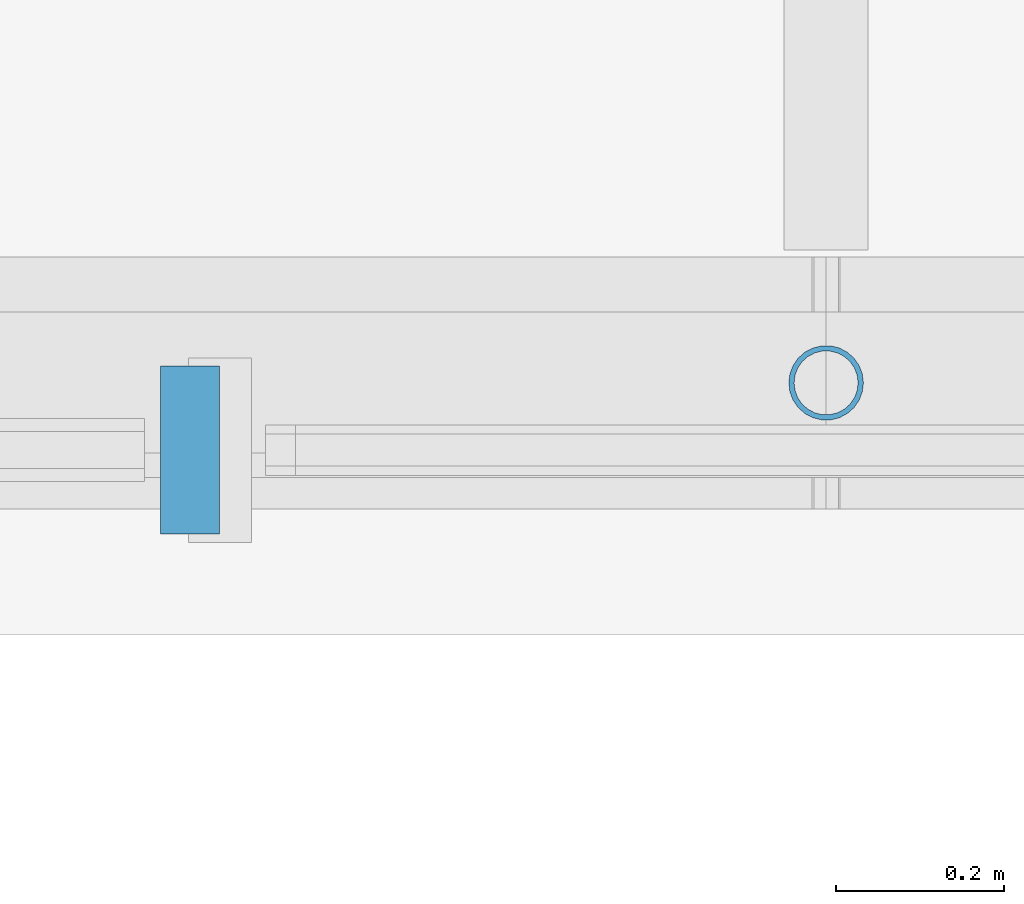
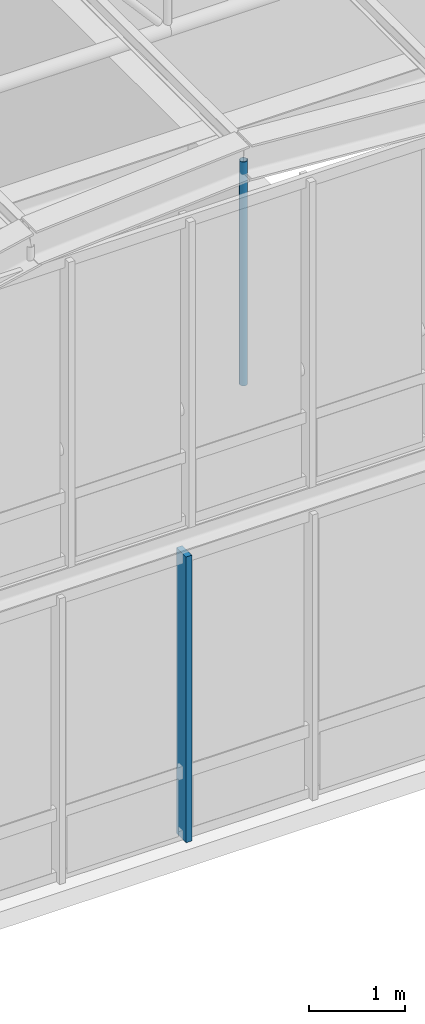
# One storey, part 32 of 148: 2 members, 1 element without a shape of its own.
"""IFC4 building model written with IfcOpenShell, lengths in metres."""

import ifcopenshell
import ifcopenshell.guid

model = None  # the IFC model being written
_history = None  # IfcOwnerHistory: only IFC2X3 demands one
_inside = {}  # id of a spatial element -> (the spatial element, [elements in it])
_under = {}  # id of a project, library or spatial element -> (it, [spatial elements below it])
_declared = {}  # id of a project -> (the project, [libraries it declares])
_typed = {}  # id of a type object -> (the type object, [elements of that type])
_made_of = {}  # id of a material, layer set ... -> (it, [elements and type objects made of it])


def new_model(schema):
    """Start an empty IFC model of exactly this schema.

    Asked for "IFC4X3", IfcOpenShell would pick the latest addendum, in which some entities
    have other attributes; the version numbers below select the first issue.
    IFC2X3 requires an IfcOwnerHistory on every rooted entity: one is made here for all.
    """
    global model, _history
    if schema == "IFC4X3":
        model = ifcopenshell.file(schema_version=(4, 3, 0, 0))
    else:
        model = ifcopenshell.file(schema=schema)
    _inside.clear()
    _under.clear()
    _declared.clear()
    _typed.clear()
    _made_of.clear()
    _history = None
    if model.schema == "IFC2X3":
        org = make("IfcOrganization", Name="unknown")
        user = make(
            "IfcPersonAndOrganization",
            ThePerson=make("IfcPerson", FamilyName="unknown"),
            TheOrganization=org,
        )
        app = make(
            "IfcApplication",
            ApplicationDeveloper=org,
            Version="unknown",
            ApplicationFullName="unknown",
            ApplicationIdentifier="unknown",
        )
        _history = make(
            "IfcOwnerHistory",
            OwningUser=user,
            OwningApplication=app,
            ChangeAction="ADDED",
            CreationDate=0,
        )
    return model


def make(cls, **values):
    """One entity of the class cls with the attributes given. An attribute that is None is left unset."""
    return model.create_entity(
        cls, **{name: value for name, value in values.items() if value is not None}
    )


def rooted(cls, **values):
    """An entity with a GlobalId (a new one), such as an element, a storey or a relation."""
    return make(cls, GlobalId=ifcopenshell.guid.new(), OwnerHistory=_history, **values)


def si_unit(unit_type, name, prefix=None):
    """IfcSIUnit, for example si_unit("LENGTHUNIT", "METRE", prefix="MILLI")."""
    return make("IfcSIUnit", UnitType=unit_type, Prefix=prefix, Name=name)


def assignment(units):
    """IfcUnitAssignment: the units of a project."""
    return None if units is None else make("IfcUnitAssignment", Units=units)


def point(xyz):
    """IfcCartesianPoint."""
    return None if xyz is None else make("IfcCartesianPoint", Coordinates=xyz)


def direction(xyz):
    """IfcDirection."""
    return None if xyz is None else make("IfcDirection", DirectionRatios=xyz)


def frame(location, z_axis=None, x_axis=None):
    """IfcAxis2Placement3D, a coordinate frame: its origin and axes. An axis left out is left unset."""
    return make(
        "IfcAxis2Placement3D",
        Location=point(location),
        Axis=direction(z_axis),
        RefDirection=direction(x_axis),
    )


def frame_2d(location, x_axis=None):
    """IfcAxis2Placement2D, a coordinate frame in the plane: its origin and x axis."""
    return make(
        "IfcAxis2Placement2D", Location=point(location), RefDirection=direction(x_axis)
    )


def origin():
    """The frame at (0, 0, 0) with its axes left unset."""
    return frame((0.0, 0.0, 0.0))


def origin_2d():
    """The frame at (0, 0) in the plane with its x axis left unset."""
    return frame_2d((0.0, 0.0))


def place(relative_to, where):
    """IfcLocalPlacement: puts the frame where relative to a parent placement (None: the world)."""
    return make(
        "IfcLocalPlacement", PlacementRelTo=relative_to, RelativePlacement=where
    )


def context(
    kind, dimensions, precision=None, world=None, true_north=None, identifier=None
):
    """IfcGeometricRepresentationContext, for example the 3D "Model" context."""
    return make(
        "IfcGeometricRepresentationContext",
        ContextIdentifier=identifier,
        ContextType=kind,
        CoordinateSpaceDimension=dimensions,
        Precision=precision,
        WorldCoordinateSystem=world,
        TrueNorth=true_north,
    )


def subcontext(parent, identifier, kind, view, scale=None):
    """IfcGeometricRepresentationSubContext, for example "Body" below "Model"."""
    return make(
        "IfcGeometricRepresentationSubContext",
        ContextIdentifier=identifier,
        ContextType=kind,
        ParentContext=parent,
        TargetScale=scale,
        TargetView=view,
    )


def project(units=None, contexts=None):
    """IfcProject with its units and contexts."""
    return rooted(
        "IfcProject",
        Name="project",
        RepresentationContexts=contexts,
        UnitsInContext=assignment(units),
    )


def spatial(cls, under=None, at=None, **own):
    """A site, building, storey or space (cls), placed at a placement, below another one or the project."""
    s = rooted(cls, ObjectPlacement=at, **own)
    if under is not None:
        _under.setdefault(under.id(), (under, []))[1].append(s)
    return s


def profile(cls, at=None, kind="AREA", **sizes):
    """A parametric profile (cls). Its sizes go by their IFC names, for example OverallWidth=200.0."""
    return make(cls, ProfileType=kind, Position=at, **sizes)


def rectangle(**sizes):
    """IfcRectangleProfileDef."""
    return profile("IfcRectangleProfileDef", **sizes)


def hollow_circle(**sizes):
    """IfcCircleHollowProfileDef."""
    return profile("IfcCircleHollowProfileDef", **sizes)


def extrude(swept, where, along, depth):
    """IfcExtrudedAreaSolid: the profile swept, set in the frame where, extruded along a direction by depth."""
    return make(
        "IfcExtrudedAreaSolid",
        SweptArea=swept,
        Position=where,
        ExtrudedDirection=direction(along),
        Depth=depth,
    )


def shape(context_of_items, identifier, shape_type, items):
    """IfcShapeRepresentation: the items that make up one representation, for example the "Body"."""
    return make(
        "IfcShapeRepresentation",
        ContextOfItems=context_of_items,
        RepresentationIdentifier=identifier,
        RepresentationType=shape_type,
        Items=items,
    )


def material(Name=None, Category=None):
    """IfcMaterial."""
    return make("IfcMaterial", Name=Name, Category=Category)


def layer(
    of_material, thickness, ventilated=None, Name=None, Category=None, Priority=None
):
    """IfcMaterialLayer: one layer of a wall or slab, of a material (None: an air gap)."""
    return make(
        "IfcMaterialLayer",
        Material=of_material,
        LayerThickness=thickness,
        IsVentilated=ventilated,
        Name=Name,
        Category=Category,
        Priority=Priority,
    )


def layer_set(layers, Name=None):
    """IfcMaterialLayerSet."""
    return make("IfcMaterialLayerSet", MaterialLayers=layers, LayerSetName=Name)


def material_profile(
    of_material, cross_section, Name=None, Category=None, Priority=None
):
    """IfcMaterialProfile: a cross section and its material."""
    return make(
        "IfcMaterialProfile",
        Name=Name,
        Material=of_material,
        Profile=cross_section,
        Priority=Priority,
        Category=Category,
    )


def profile_set(profiles, Name=None, composite=None):
    """IfcMaterialProfileSet."""
    return make(
        "IfcMaterialProfileSet",
        Name=Name,
        MaterialProfiles=profiles,
        CompositeProfile=composite,
    )


def made_of(thing, what):
    """Note that an element or type object is made of a material, layer set ...; save() writes the relation."""
    if what is not None:
        _made_of.setdefault(what.id(), (what, []))[1].append(thing)
    return thing


def type_object(cls, material=None, **own):
    """A type object (cls), such as IfcWallType, which elements share."""
    return made_of(rooted(cls, **own), material)


def element(
    cls,
    number,
    at=None,
    inside=None,
    cuts=None,
    type_object=None,
    material=None,
    context=None,
    identifier="Body",
    shape_type=None,
    held_by="IfcProductDefinitionShape",
    body=None,
    shapes=None,
    **own,
):
    """One element of the class cls, such as IfcWall. Its Tag is "e" and its number.

    at: its placement. inside: the storey or other place that contains it. cuts: it is an
    opening in that element (IfcRelVoidsElement). A single representation is given by context,
    identifier, shape_type and body (its items); several are given by shapes. held_by: the class
    of the entity that holds the representations. save() writes the other relations.
    """
    e = rooted(cls, Tag="e%d" % number, ObjectPlacement=at, **own)
    if body is not None:
        shapes = [shape(context, identifier, shape_type, body)]
    if shapes is not None:
        e.Representation = make(held_by, Representations=shapes)
    if inside is not None:
        _inside.setdefault(inside.id(), (inside, []))[1].append(e)
    if cuts is not None:
        rooted(
            "IfcRelVoidsElement", RelatingBuildingElement=cuts, RelatedOpeningElement=e
        )
    if type_object is not None:
        _typed.setdefault(type_object.id(), (type_object, []))[1].append(e)
    return made_of(e, material)


def aggregate(whole, parts):
    """IfcRelAggregates: a whole, such as a stair, and the parts it consists of."""
    return rooted("IfcRelAggregates", RelatingObject=whole, RelatedObjects=parts)


def save(model, path):
    """Write the relations noted so far, then the file.

    IfcRelAggregates (storeys below a building ...), IfcRelContainedInSpatialStructure (elements
    in a storey), IfcRelDefinesByType, IfcRelAssociatesMaterial and IfcRelDeclares: one each for
    every whole, place, type object, material and project.
    """
    for whole, parts in _under.values():
        aggregate(whole, parts)
    for where, things in _inside.values():
        rooted(
            "IfcRelContainedInSpatialStructure",
            RelatedElements=things,
            RelatingStructure=where,
        )
    for kind, things in _typed.values():
        rooted("IfcRelDefinesByType", RelatedObjects=things, RelatingType=kind)
    for what, things in _made_of.values():
        rooted("IfcRelAssociatesMaterial", RelatedObjects=things, RelatingMaterial=what)
    for by, libraries in _declared.values():
        rooted("IfcRelDeclares", RelatingContext=by, RelatedDefinitions=libraries)
    model.write(path)


model = new_model("IFC4")

# Units and contexts
model_context = context("Model", 3, precision=1e-05, world=origin(), true_north=direction((0.0, 1.0)))
body_context = subcontext(model_context, "Body", "Model", "MODEL_VIEW")
ifc_project = project(units=[si_unit("LENGTHUNIT", "METRE"), si_unit("AREAUNIT", "SQUARE_METRE"), si_unit("VOLUMEUNIT", "CUBIC_METRE"), si_unit("PLANEANGLEUNIT", "RADIAN"), si_unit("MASSUNIT", "GRAM", prefix="KILO"), si_unit("THERMODYNAMICTEMPERATUREUNIT", "KELVIN"), si_unit("POWERUNIT", "WATT")], contexts=[model_context])

# Site, building, storey
site_placement = place(None, origin())
site = spatial("IfcSite", under=ifc_project, at=site_placement, CompositionType="ELEMENT")
building_placement = place(site_placement, origin())
building = spatial("IfcBuilding", under=site, at=building_placement, Name="Solvatero Civic Police Headquarters", CompositionType="ELEMENT")
storey_placement = place(building_placement, frame((0.0, 0.0, 5.10009765625)))
storey = spatial("IfcBuildingStorey", under=building, at=storey_placement, Name="L01", CompositionType="ELEMENT", Elevation=5.10009765625)

# Curtain wall, member
ifc_material_1 = material(Name="Anodized Bronze Aluminium", Category="aluminium")
ifc_layer = layer(ifc_material_1, 0.179931640625)
ifc_layer_set = layer_set([ifc_layer], Name="Anodized Bronze Aluminium")
curtain_wall_type = type_object("IfcCurtainWallType", Name="CW-HAL-GLZ", PredefinedType="USERDEFINED", material=ifc_layer_set)
curtain_wall_placement = place(storey_placement, origin())
curtain_wall = element("IfcCurtainWall", 1, at=curtain_wall_placement, inside=storey, type_object=curtain_wall_type, Name="Curtain Wall CW-R2-L01-V1-S", ObjectType="UNITISED", PredefinedType="USERDEFINED")
ifc_material_profile_1 = material_profile(ifc_material_1, rectangle(XDim=0.070068359375, YDim=0.199951171875, at=origin_2d()), Name="ALU MULLION 70x200")
ifc_profile_set_1 = profile_set([ifc_material_profile_1], Name="Anodized Bronze Aluminium")
member_type_1 = type_object("IfcMemberType", Name="CWM-220x80", PredefinedType="MULLION", material=ifc_profile_set_1)
member_1_placement = place(storey_placement, frame((109.74267578125, 4.719970703125, 0.0), z_axis=(0.0, 0.0, 1.0), x_axis=(1.0, 0.0, 0.0)))
member_1 = element("IfcMember", 2, at=member_1_placement, type_object=member_type_1, Name="CW-R2-L01-V1-S Mullion 8", PredefinedType="MULLION", context=body_context, shape_type="SweptSolid", body=[
    extrude(rectangle(XDim=0.070068359375, YDim=0.199951171875, at=origin_2d()), origin(), (0.0, 0.0, 1.0), 3.619873046875),
])
aggregate(curtain_wall, [member_1])

# Member
ifc_material_2 = material(Name="Steel S355", Category="steel")
ifc_material_profile_2 = material_profile(ifc_material_2, hollow_circle(Radius=0.04443359375, WallThickness=0.00634765625, at=origin_2d()), Name="CHS 88.9x6.3")
ifc_profile_set_2 = profile_set([ifc_material_profile_2], Name="Steel S355")
member_type_2 = type_object("IfcMemberType", Name="MB-HNG-CHS89", PredefinedType="STRUT", material=ifc_profile_set_2)
member_2_placement = place(storey_placement, frame((110.5, 4.800048828125, 5.431640625), z_axis=(0.0, 0.0, 1.0), x_axis=(1.0, 0.0, 0.0)))
element("IfcMember", 3, at=member_2_placement, inside=storey, type_object=member_type_2, Name="VLT1 Vault Vertical Hanger F1.5", PredefinedType="STRUT", context=body_context, shape_type="SweptSolid", body=[
    extrude(hollow_circle(Radius=0.04443359375, WallThickness=0.00634765625, at=origin_2d()), origin(), (0.0, 0.0, 1.0), 2.837158203125),
])

save(model, "model.ifc")
